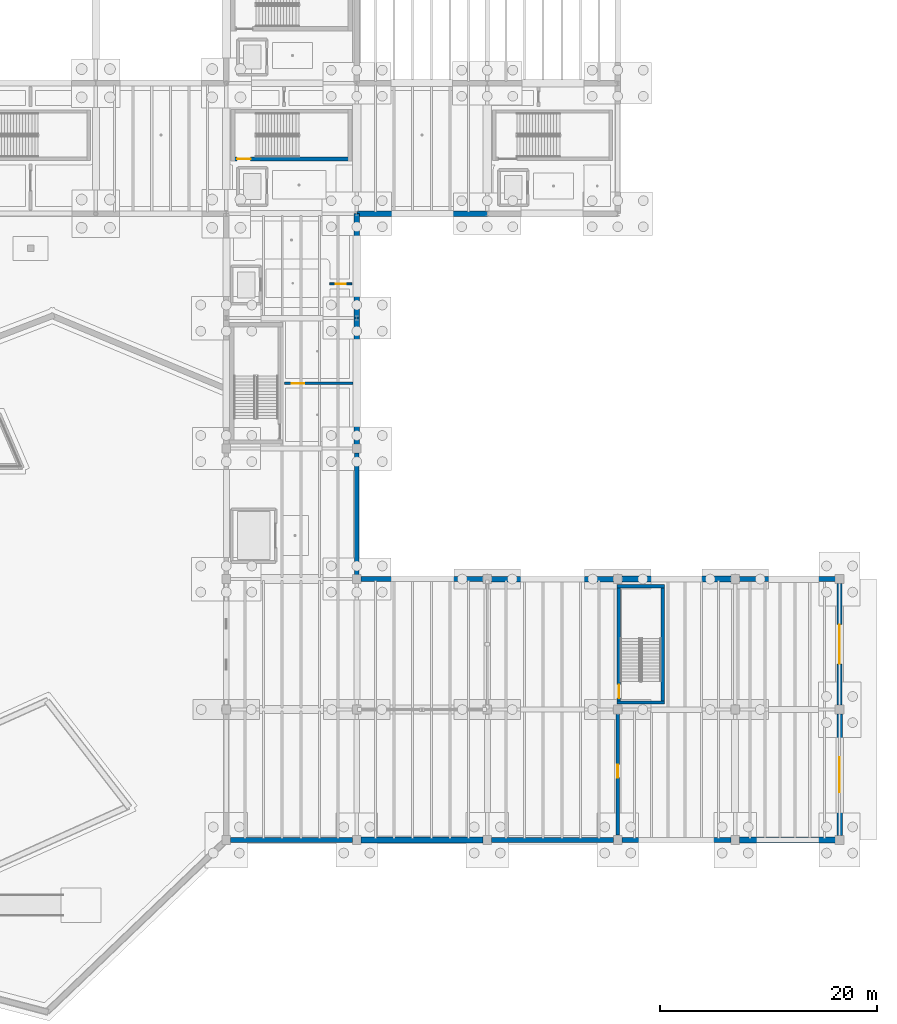
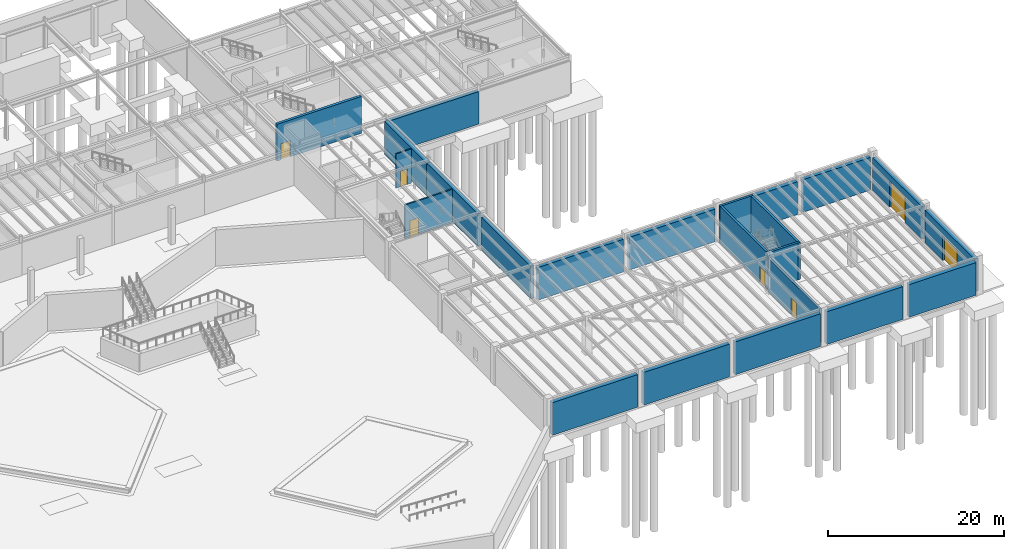
# One storey, part 38 of 67: 23 walls, 7 doors, 7 openings.
"""IFC4 building model written with IfcOpenShell, lengths in metres."""

from ifc_helpers import new_model, si_unit, direction, frame, frame_2d, origin, place, context, subcontext, project, spatial, rectangle, extrude, material, layer, layer_set, type_object, element, fill, save


model = new_model("IFC4")

# Units and contexts
model_context = context("Model", 3, precision=1e-05, world=origin(), true_north=direction((0.0, 1.0)))
body_context = subcontext(model_context, "Body", "Model", "MODEL_VIEW")
ifc_project = project(units=[si_unit("LENGTHUNIT", "METRE"), si_unit("AREAUNIT", "SQUARE_METRE"), si_unit("VOLUMEUNIT", "CUBIC_METRE"), si_unit("PLANEANGLEUNIT", "RADIAN"), si_unit("MASSUNIT", "GRAM", prefix="KILO")], contexts=[model_context])

# Site, building, storey
site_placement = place(None, origin())
site = spatial("IfcSite", under=ifc_project, at=site_placement, CompositionType="ELEMENT")
building_placement = place(site_placement, origin())
building = spatial("IfcBuilding", under=site, at=building_placement, Name="Zlatogorsky Bluff Art Gallery", CompositionType="ELEMENT")
storey_placement = place(building_placement, frame((0.0, 0.0, -5.39990234375)))
storey = spatial("IfcBuildingStorey", under=building, at=storey_placement, Name="B1", CompositionType="ELEMENT", Elevation=-5.39990234375)

# Walls
ifc_material_1 = material(Name="Concrete C35/45", Category="concrete")
ifc_layer_1 = layer(ifc_material_1, 0.449951171875)
ifc_layer_set_1 = layer_set([ifc_layer_1], Name="Exterior Wall RW-01 450mm")
wall_type_1 = type_object("IfcWallType", Name="Exterior Wall RW-01 450mm", PredefinedType="USERDEFINED", material=ifc_layer_set_1)
for number, where, z_axis, x_axis, name in (
    (1, (132.0, 50.794921875, 0.0), (0.0, 0.0, 1.0), (0.0, 1.0, 0.0), "Exterior wall RW-01 B1 E 10.5"),
    (2, (143.60498046875, 50.39990234375, 0.0), (0.0, 0.0, 1.0), (-1.0, 0.0, 0.0), "Exterior wall RW-01 B1 N 11.4"),
    (3, (144.39501953125, 26.39990234375, 0.0), (0.0, 0.0, 1.0), (1.0, 0.0, 0.0), "Exterior wall RW-01 B1 S 12.3"),
):
    element("IfcWall", number, at=place(storey_placement, frame(where, z_axis=z_axis, x_axis=x_axis)), inside=storey, type_object=wall_type_1, Name=name, ObjectType="RETAINING WALL", PredefinedType="USERDEFINED", context=body_context, shape_type="SweptSolid", body=[
        extrude(rectangle(XDim=11.2099609375, YDim=0.449951171875, at=frame_2d((5.60498046875, 0.0))), origin(), (0.0, 0.0, 1.0), 4.539794921875),
    ])
wall_1_placement = place(storey_placement, frame((176.0048828125, 50.39990234375, 0.0), z_axis=(0.0, 0.0, 1.0), x_axis=(-1.0, 0.0, 0.0)))
element("IfcWall", 4, at=wall_1_placement, inside=storey, type_object=wall_type_1, Name="Exterior wall RW-01 B1 N 14.4", ObjectType="RETAINING WALL", PredefinedType="USERDEFINED", context=body_context, shape_type="SweptSolid", body=[
    extrude(rectangle(XDim=8.809814453125, YDim=0.449951171875, at=frame_2d((4.40478515625, 0.0))), origin(), (0.0, 0.0, 1.0), 4.539794921875),
])

# Wall, opening, door
wall_2_placement = place(storey_placement, frame((176.39990234375, 38.794921875, 0.0), z_axis=(0.0, 0.0, 1.0), x_axis=(0.0, 1.0, 0.0)))
wall_2 = element("IfcWall", 5, at=wall_2_placement, inside=storey, type_object=wall_type_1, Name="Exterior wall RW-01 B1 E 14.4", ObjectType="RETAINING WALL", PredefinedType="USERDEFINED", context=body_context, shape_type="SweptSolid", body=[
    extrude(rectangle(XDim=11.2099609375, YDim=0.449951171875, at=frame_2d((5.60498046875, 0.0))), origin(), (0.0, 0.0, 1.0), 4.539794921875),
])
opening_1_placement = place(wall_2_placement, frame((3.804931640625, 0.0, 0.0)))
opening_1 = element("IfcOpeningElement", 6, at=opening_1_placement, cuts=wall_2, Name="Opening LDK-02", PredefinedType="OPENING", context=body_context, shape_type="SweptSolid", body=[
    extrude(rectangle(XDim=3.60009765625, YDim=3.60009765625, at=frame_2d((1.800048828125, 1.800048828125))), frame((0.0, 0.23486328125, 0.0), z_axis=(0.0, -1.0, 0.0), x_axis=(1.0, 0.0, 0.0)), (0.0, 0.0, 1.0), 0.469970703125),
])
ifc_material_2 = material(Name="Bronze-Clad Thermally Broken Steel and Laminated Glass", Category="steel")
door_type_1 = type_object("IfcDoorType", Name="Exterior Door LDK-02 3600x3600", OperationType="ROLLINGUP", PredefinedType="DOOR", material=ifc_material_2)
door_1_placement = place(opening_1_placement, origin())
door_1 = element("IfcDoor", 7, at=door_1_placement, inside=storey, type_object=door_type_1, Name="Art loading dock shutter LDK-02", OperationType="ROLLINGUP", OverallHeight=3.60009765625, OverallWidth=3.60009765625, PredefinedType="DOOR", context=body_context, shape_type="SweptSolid", body=[
    extrude(rectangle(XDim=3.60009765625, YDim=3.60009765625, at=frame_2d((1.800048828125, 1.800048828125))), frame((0.0, 0.02490234375, 0.0), z_axis=(0.0, -1.0, 0.0), x_axis=(1.0, 0.0, 0.0)), (0.0, 0.0, 1.0), 0.050048828125),
])
fill(opening_1, door_1)

# Walls
ifc_layer_2 = layer(ifc_material_1, 0.5)
ifc_layer_set_2 = layer_set([ifc_layer_2], Name="Exterior Wall RW-02 500mm")
wall_type_2 = type_object("IfcWallType", Name="Exterior Wall RW-02 500mm", PredefinedType="USERDEFINED", material=ifc_layer_set_2)
wall_3_placement = place(storey_placement, frame((120.39501953125, 26.39990234375, 0.0), z_axis=(0.0, 0.0, 1.0), x_axis=(1.0, 0.0, 0.0)))
element("IfcWall", 8, at=wall_3_placement, inside=storey, type_object=wall_type_2, Name="Exterior wall RW-02 B1 S 10.3", ObjectType="RETAINING WALL", PredefinedType="USERDEFINED", context=body_context, shape_type="SweptSolid", body=[
    extrude(rectangle(XDim=11.2099609375, YDim=0.5, at=frame_2d((5.60498046875, 0.0))), origin(), (0.0, 0.0, 1.0), 4.539794921875),
])
wall_4_placement = place(storey_placement, frame((132.0, 62.794921875, 0.0), z_axis=(0.0, 0.0, 1.0), x_axis=(0.0, 1.0, 0.0)))
element("IfcWall", 9, at=wall_4_placement, inside=storey, type_object=wall_type_2, Name="Exterior wall RW-02 B1 E 10.6", ObjectType="RETAINING WALL", PredefinedType="USERDEFINED", context=body_context, shape_type="SweptSolid", body=[
    extrude(rectangle(XDim=11.60498046875, YDim=0.5, at=frame_2d((5.802490234375, 0.0))), origin(), (0.0, 0.0, 1.0), 4.539794921875),
])
wall_5_placement = place(storey_placement, frame((132.0, 84.0, 0.0), z_axis=(0.0, 0.0, 1.0), x_axis=(1.0, 0.0, 0.0)))
element("IfcWall", 10, at=wall_5_placement, inside=storey, type_object=wall_type_2, Name="Exterior wall RW-02 B1 S 11.8", ObjectType="RETAINING WALL", PredefinedType="USERDEFINED", context=body_context, shape_type="SweptSolid", body=[
    extrude(rectangle(XDim=12.0, YDim=0.5, at=frame_2d((6.0, 0.0))), origin(), (0.0, 0.0, 1.0), 4.539794921875),
])
wall_6_placement = place(storey_placement, frame((155.60498046875, 50.39990234375, 0.0), z_axis=(0.0, 0.0, 1.0), x_axis=(-1.0, 0.0, 0.0)))
element("IfcWall", 11, at=wall_6_placement, inside=storey, type_object=wall_type_2, Name="Exterior wall RW-02 B1 N 12.4", ObjectType="RETAINING WALL", PredefinedType="USERDEFINED", context=body_context, shape_type="SweptSolid", body=[
    extrude(rectangle(XDim=11.2099609375, YDim=0.5, at=frame_2d((5.60498046875, 0.0))), origin(), (0.0, 0.0, 1.0), 4.539794921875),
])
wall_7_placement = place(storey_placement, frame((156.39501953125, 26.39990234375, 0.0), z_axis=(0.0, 0.0, 1.0), x_axis=(1.0, 0.0, 0.0)))
element("IfcWall", 12, at=wall_7_placement, inside=storey, type_object=wall_type_2, Name="Exterior wall RW-02 B1 S 13.3", ObjectType="RETAINING WALL", PredefinedType="USERDEFINED", context=body_context, shape_type="SweptSolid", body=[
    extrude(rectangle(XDim=10.010009765625, YDim=0.5, at=frame_2d((5.0048828125, 0.0))), origin(), (0.0, 0.0, 1.0), 4.539794921875),
])
ifc_layer_3 = layer(ifc_material_1, 0.52001953125)
ifc_layer_set_3 = layer_set([ifc_layer_3], Name="Exterior Wall RW-03 520mm")
wall_type_3 = type_object("IfcWallType", Name="Exterior Wall RW-03 520mm", PredefinedType="USERDEFINED", material=ifc_layer_set_3)
wall_8_placement = place(storey_placement, frame((132.0, 74.39990234375, 0.0), z_axis=(0.0, 0.0, 1.0), x_axis=(0.0, 1.0, 0.0)))
element("IfcWall", 13, at=wall_8_placement, inside=storey, type_object=wall_type_3, Name="Exterior wall RW-03 B1 E 10.7", ObjectType="RETAINING WALL", PredefinedType="USERDEFINED", context=body_context, shape_type="SweptSolid", body=[
    extrude(rectangle(XDim=9.60009765625, YDim=0.52001953125, at=frame_2d((4.800048828125, 0.0))), origin(), (0.0, 0.0, 1.0), 4.539794921875),
])
wall_9_placement = place(storey_placement, frame((132.39501953125, 26.39990234375, 0.0), z_axis=(0.0, 0.0, 1.0), x_axis=(1.0, 0.0, 0.0)))
element("IfcWall", 14, at=wall_9_placement, inside=storey, type_object=wall_type_3, Name="Exterior wall RW-03 B1 S 11.3", ObjectType="RETAINING WALL", PredefinedType="USERDEFINED", context=body_context, shape_type="SweptSolid", body=[
    extrude(rectangle(XDim=11.2099609375, YDim=0.52001953125, at=frame_2d((5.60498046875, 0.0))), origin(), (0.0, 0.0, 1.0), 4.539794921875),
])
wall_10_placement = place(storey_placement, frame((166.405029296875, 50.39990234375, 0.0), z_axis=(0.0, 0.0, 1.0), x_axis=(-1.0, 0.0, 0.0)))
element("IfcWall", 15, at=wall_10_placement, inside=storey, type_object=wall_type_3, Name="Exterior wall RW-03 B1 N 13.4", ObjectType="RETAINING WALL", PredefinedType="USERDEFINED", context=body_context, shape_type="SweptSolid", body=[
    extrude(rectangle(XDim=10.010009765625, YDim=0.52001953125, at=frame_2d((5.0048828125, 0.0))), origin(), (0.0, 0.0, 1.0), 4.539794921875),
])
wall_11_placement = place(storey_placement, frame((167.195068359375, 26.39990234375, 0.0), z_axis=(0.0, 0.0, 1.0), x_axis=(1.0, 0.0, 0.0)))
element("IfcWall", 16, at=wall_11_placement, inside=storey, type_object=wall_type_3, Name="Exterior wall RW-03 B1 S 14.3", ObjectType="RETAINING WALL", PredefinedType="USERDEFINED", context=body_context, shape_type="SweptSolid", body=[
    extrude(rectangle(XDim=8.809814453125, YDim=0.52001953125, at=frame_2d((4.40478515625, 0.0))), origin(), (0.0, 0.0, 1.0), 4.539794921875),
])

# Wall, opening, door
wall_12_placement = place(storey_placement, frame((176.39990234375, 26.794921875, 0.0), z_axis=(0.0, 0.0, 1.0), x_axis=(0.0, 1.0, 0.0)))
wall_12 = element("IfcWall", 17, at=wall_12_placement, inside=storey, type_object=wall_type_3, Name="Exterior wall RW-03 B1 E 14.3", ObjectType="RETAINING WALL", PredefinedType="USERDEFINED", context=body_context, shape_type="SweptSolid", body=[
    extrude(rectangle(XDim=11.2099609375, YDim=0.52001953125, at=frame_2d((5.60498046875, 0.0))), origin(), (0.0, 0.0, 1.0), 4.539794921875),
])
opening_2_placement = place(wall_12_placement, frame((4.0048828125, 0.0, 0.0)))
opening_2 = element("IfcOpeningElement", 18, at=opening_2_placement, cuts=wall_12, Name="Opening LDK-01", PredefinedType="OPENING", context=body_context, shape_type="SweptSolid", body=[
    extrude(rectangle(XDim=3.199951171875, YDim=3.39990234375, at=frame_2d((1.60009765625, 1.699951171875))), frame((0.0, 0.27001953125, 0.0), z_axis=(0.0, -1.0, 0.0), x_axis=(1.0, 0.0, 0.0)), (0.0, 0.0, 1.0), 0.5400390625),
])
door_type_2 = type_object("IfcDoorType", Name="Exterior Door LDK-01 3200x3400", OperationType="ROLLINGUP", PredefinedType="DOOR", material=ifc_material_2)
door_2_placement = place(opening_2_placement, origin())
door_2 = element("IfcDoor", 19, at=door_2_placement, inside=storey, type_object=door_type_2, Name="Art loading dock shutter LDK-01", OperationType="ROLLINGUP", OverallHeight=3.39990234375, OverallWidth=3.199951171875, PredefinedType="DOOR", context=body_context, shape_type="SweptSolid", body=[
    extrude(rectangle(XDim=3.199951171875, YDim=3.39990234375, at=frame_2d((1.60009765625, 1.699951171875))), frame((0.0, 0.02490234375, 0.0), z_axis=(0.0, -1.0, 0.0), x_axis=(1.0, 0.0, 0.0)), (0.0, 0.0, 1.0), 0.050048828125),
])
fill(opening_2, door_2)

ifc_material_3 = material(Name="Concrete C30/37", Category="concrete")
ifc_layer_4 = layer(ifc_material_3, 0.179931640625)
ifc_layer_set_4 = layer_set([ifc_layer_4], Name="Interior Wall IW-02 180mm")
wall_type_4 = type_object("IfcWallType", Name="Interior Wall IW-02 180mm", PredefinedType="PARTITIONING", material=ifc_layer_set_4)
wall_13_placement = place(storey_placement, frame((129.510009765625, 77.544921875, 0.0), z_axis=(0.0, 0.0, 1.0), x_axis=(1.0, 0.0, 0.0)))
wall_13 = element("IfcWall", 20, at=wall_13_placement, inside=storey, type_object=wall_type_4, Name="Partition IW-02 between B1-C2-12 and B1-C2-13", PredefinedType="PARTITIONING", context=body_context, shape_type="SweptSolid", body=[
    extrude(rectangle(XDim=2.0400390625, YDim=0.179931640625, at=frame_2d((1.02001953125, 0.0))), origin(), (0.0, 0.0, 1.0), 4.739990234375),
])
opening_3_placement = place(wall_13_placement, frame((0.5400390625, 0.0, 0.0)))
opening_3 = element("IfcOpeningElement", 21, at=opening_3_placement, cuts=wall_13, Name="Opening ID-01", PredefinedType="OPENING", context=body_context, shape_type="SweptSolid", body=[
    extrude(rectangle(XDim=0.919921875, YDim=2.14990234375, at=frame_2d((0.4599609375, 1.074951171875))), frame((0.0, 0.099853515625, 0.0), z_axis=(0.0, -1.0, 0.0), x_axis=(1.0, 0.0, 0.0)), (0.0, 0.0, 1.0), 0.199951171875),
])
ifc_material_4 = material(Name="Anodised Aluminium and Laminated Timber", Category="wood")
door_type_3 = type_object("IfcDoorType", Name="Interior Door ID-01 920x2150", OperationType="SINGLE_SWING_LEFT", PredefinedType="DOOR", material=ifc_material_4)
door_3_placement = place(opening_3_placement, origin())
door_3 = element("IfcDoor", 22, at=door_3_placement, inside=storey, type_object=door_type_3, Name="Door ID-01 B1-C2-12-B1-C2-13", OperationType="SINGLE_SWING_LEFT", OverallHeight=2.14990234375, OverallWidth=0.919921875, PredefinedType="DOOR", context=body_context, shape_type="SweptSolid", body=[
    extrude(rectangle(XDim=0.919921875, YDim=2.14990234375, at=frame_2d((0.4599609375, 1.074951171875))), frame((0.0, 0.02490234375, 0.0), z_axis=(0.0, -1.0, 0.0), x_axis=(1.0, 0.0, 0.0)), (0.0, 0.0, 1.0), 0.050048828125),
])
fill(opening_3, door_3)

ifc_layer_5 = layer(ifc_material_3, 0.199951171875)
ifc_layer_set_5 = layer_set([ifc_layer_5], Name="Interior Wall IW-03 200mm")
wall_type_5 = type_object("IfcWallType", Name="Interior Wall IW-03 200mm", PredefinedType="PARTITIONING", material=ifc_layer_set_5)
wall_14_placement = place(storey_placement, frame((125.3701171875, 68.39990234375, 0.0), z_axis=(0.0, 0.0, 1.0), x_axis=(1.0, 0.0, 0.0)))
wall_14 = element("IfcWall", 23, at=wall_14_placement, inside=storey, type_object=wall_type_5, Name="Partition IW-03 between B1-C2-11 and B1-C2-12", PredefinedType="PARTITIONING", context=body_context, shape_type="SweptSolid", body=[
    extrude(rectangle(XDim=6.259765625, YDim=0.199951171875, at=frame_2d((3.1298828125, 0.0))), origin(), (0.0, 0.0, 1.0), 4.64990234375),
])
opening_4_placement = place(wall_14_placement, frame((0.64990234375, 0.0, 0.0)))
opening_4 = element("IfcOpeningElement", 24, at=opening_4_placement, cuts=wall_14, Name="Opening ID-06", PredefinedType="OPENING", context=body_context, shape_type="SweptSolid", body=[
    extrude(rectangle(XDim=1.14990234375, YDim=2.25, at=frame_2d((0.574951171875, 1.125))), frame((0.0, 0.10986328125, 0.0), z_axis=(0.0, -1.0, 0.0), x_axis=(1.0, 0.0, 0.0)), (0.0, 0.0, 1.0), 0.219970703125),
])
door_type_4 = type_object("IfcDoorType", Name="Interior Door ID-06 1150x2250", OperationType="SINGLE_SWING_LEFT", PredefinedType="DOOR", material=ifc_material_4)
door_4_placement = place(opening_4_placement, origin())
door_4 = element("IfcDoor", 25, at=door_4_placement, inside=storey, type_object=door_type_4, Name="Door ID-06 B1-C2-11-B1-C2-12", OperationType="SINGLE_SWING_RIGHT", OverallHeight=2.25, OverallWidth=1.14990234375, PredefinedType="DOOR", context=body_context, shape_type="SweptSolid", body=[
    extrude(rectangle(XDim=1.14990234375, YDim=2.25, at=frame_2d((0.574951171875, 1.125))), frame((0.0, 0.02490234375, 0.0), z_axis=(0.0, -1.0, 0.0), x_axis=(1.0, 0.0, 0.0)), (0.0, 0.0, 1.0), 0.050048828125),
])
fill(opening_4, door_4)

ifc_layer_6 = layer(ifc_material_1, 0.280029296875)
ifc_layer_set_6 = layer_set([ifc_layer_6], Name="Interior Wall IW-06 280mm")
wall_type_6 = type_object("IfcWallType", Name="Interior Wall IW-06 280mm", PredefinedType="SOLIDWALL", material=ifc_layer_set_6)
wall_15_placement = place(storey_placement, frame((156.0, 26.87451171875, 0.0), z_axis=(0.0, 0.0, 1.0), x_axis=(0.0, 1.0, 0.0)))
wall_15 = element("IfcWall", 26, at=wall_15_placement, inside=storey, type_object=wall_type_6, Name="Partition IW-06 between B1-S2 and B1-D1", PredefinedType="SOLIDWALL", context=body_context, shape_type="SweptSolid", body=[
    extrude(rectangle(XDim=11.70556640625, YDim=0.280029296875, at=frame_2d((5.852783203125, 0.0))), origin(), (0.0, 0.0, 1.0), 4.7099609375),
])
opening_5_placement = place(wall_15_placement, frame((5.2529296875, 0.0, 0.0)))
opening_5 = element("IfcOpeningElement", 27, at=opening_5_placement, cuts=wall_15, Name="Opening ID-07", PredefinedType="OPENING", context=body_context, shape_type="SweptSolid", body=[
    extrude(rectangle(XDim=1.199951171875, YDim=2.300048828125, at=frame_2d((0.60009765625, 1.14990234375))), frame((0.0, 0.14990234375, 0.0), z_axis=(0.0, -1.0, 0.0), x_axis=(1.0, 0.0, 0.0)), (0.0, 0.0, 1.0), 0.300048828125),
])
door_type_5 = type_object("IfcDoorType", Name="Interior Door ID-07 1200x2300", OperationType="SINGLE_SWING_LEFT", PredefinedType="DOOR", material=ifc_material_4)
door_5_placement = place(opening_5_placement, origin())
door_5 = element("IfcDoor", 28, at=door_5_placement, inside=storey, type_object=door_type_5, Name="Door ID-07 B1-S2-B1-D1", OperationType="SINGLE_SWING_RIGHT", OverallHeight=2.300048828125, OverallWidth=1.199951171875, PredefinedType="DOOR", context=body_context, shape_type="SweptSolid", body=[
    extrude(rectangle(XDim=1.199951171875, YDim=2.300048828125, at=frame_2d((0.60009765625, 1.14990234375))), frame((0.0, 0.02490234375, 0.0), z_axis=(0.0, -1.0, 0.0), x_axis=(1.0, 0.0, 0.0)), (0.0, 0.0, 1.0), 0.050048828125),
])
fill(opening_5, door_5)

# Walls
ifc_layer_7 = layer(ifc_material_1, 0.300048828125)
ifc_layer_set_7 = layer_set([ifc_layer_7], Name="Interior Wall SW-01 300mm")
wall_type_7 = type_object("IfcWallType", Name="Interior Wall SW-01 300mm", PredefinedType="SHEAR", material=ifc_layer_set_7)
wall_16_placement = place(storey_placement, frame((160.14990234375, 38.89990234375, 0.0), z_axis=(0.0, 0.0, 1.0), x_axis=(0.0, 1.0, 0.0)))
element("IfcWall", 29, at=wall_16_placement, inside=storey, type_object=wall_type_7, Name="Stair ST-10 enclosure wall B1 W0", PredefinedType="SHEAR", context=body_context, shape_type="SweptSolid", body=[
    extrude(rectangle(XDim=11.0, YDim=0.300048828125, at=frame_2d((5.5, 0.0))), origin(), (0.0, 0.0, 1.0), 5.119873046875),
])
wall_17_placement = place(storey_placement, frame((160.300048828125, 49.75, 0.0), z_axis=(0.0, 0.0, 1.0), x_axis=(-1.0, 0.0, 0.0)))
element("IfcWall", 30, at=wall_17_placement, inside=storey, type_object=wall_type_7, Name="Stair ST-10 enclosure wall B1 FEND", PredefinedType="SHEAR", context=body_context, shape_type="SweptSolid", body=[
    extrude(rectangle(XDim=4.35009765625, YDim=0.300048828125, at=frame_2d((2.175048828125, 0.0))), origin(), (0.0, 0.0, 1.0), 5.119873046875),
])

# Wall, opening, door
wall_18_placement = place(storey_placement, frame((156.10009765625, 49.89990234375, 0.0), z_axis=(0.0, 0.0, 1.0), x_axis=(0.0, -1.0, 0.0)))
wall_18 = element("IfcWall", 31, at=wall_18_placement, inside=storey, type_object=wall_type_7, Name="Stair ST-10 enclosure wall B1 W1", PredefinedType="SHEAR", context=body_context, shape_type="SweptSolid", body=[
    extrude(rectangle(XDim=11.0, YDim=0.300048828125, at=frame_2d((5.5, 0.0))), origin(), (0.0, 0.0, 1.0), 5.119873046875),
])
opening_6_placement = place(wall_18_placement, frame((9.2099609375, 0.0, 0.0)))
opening_6 = element("IfcOpeningElement", 32, at=opening_6_placement, cuts=wall_18, Name="Opening FD-02", PredefinedType="OPENING", context=body_context, shape_type="SweptSolid", body=[
    extrude(rectangle(XDim=1.239990234375, YDim=2.25, at=frame_2d((0.6201171875, 1.125))), frame((0.0, 0.159912109375, 0.0), z_axis=(0.0, -1.0, 0.0), x_axis=(1.0, 0.0, 0.0)), (0.0, 0.0, 1.0), 0.320068359375),
])
door_type_6 = type_object("IfcDoorType", Name="Interior Door FD-02 1240x2250", OperationType="SINGLE_SWING_LEFT", PredefinedType="DOOR", material=ifc_material_4)
door_6_placement = place(opening_6_placement, origin())
door_6 = element("IfcDoor", 33, at=door_6_placement, inside=storey, type_object=door_type_6, Name="Stair ST-10 fire door B1", OperationType="SINGLE_SWING_RIGHT", OverallHeight=2.25, OverallWidth=1.239990234375, PredefinedType="DOOR", context=body_context, shape_type="SweptSolid", body=[
    extrude(rectangle(XDim=1.239990234375, YDim=2.25, at=frame_2d((0.6201171875, 1.125))), frame((0.0, 0.02490234375, 0.0), z_axis=(0.0, -1.0, 0.0), x_axis=(1.0, 0.0, 0.0)), (0.0, 0.0, 1.0), 0.050048828125),
])
fill(opening_6, door_6)

# Wall
wall_19_placement = place(storey_placement, frame((155.949951171875, 39.050048828125, 0.0), z_axis=(0.0, 0.0, 1.0), x_axis=(1.0, 0.0, 0.0)))
element("IfcWall", 34, at=wall_19_placement, inside=storey, type_object=wall_type_7, Name="Stair ST-10 enclosure wall B1 LEND", PredefinedType="SHEAR", context=body_context, shape_type="SweptSolid", body=[
    extrude(rectangle(XDim=4.35009765625, YDim=0.300048828125, at=frame_2d((2.175048828125, 0.0))), origin(), (0.0, 0.0, 1.0), 5.119873046875),
])

# Wall, opening, door
ifc_layer_8 = layer(ifc_material_1, 0.35009765625)
ifc_layer_set_8 = layer_set([ifc_layer_8], Name="Interior Wall SW-02 350mm")
wall_type_8 = type_object("IfcWallType", Name="Interior Wall SW-02 350mm", PredefinedType="SHEAR", material=ifc_layer_set_8)
wall_20_placement = place(storey_placement, frame((120.449951171875, 89.02490234375, 0.0), z_axis=(0.0, 0.0, 1.0), x_axis=(1.0, 0.0, 0.0)))
wall_20 = element("IfcWall", 35, at=wall_20_placement, inside=storey, type_object=wall_type_8, Name="Stair ST-02 enclosure wall B1 W0", PredefinedType="SHEAR", context=body_context, shape_type="SweptSolid", body=[
    extrude(rectangle(XDim=11.10009765625, YDim=0.35009765625, at=frame_2d((5.550048828125, 0.0))), origin(), (0.0, 0.0, 1.0), 5.119873046875),
])
opening_7_placement = place(wall_20_placement, frame((0.550048828125, 0.0, 0.0)))
opening_7 = element("IfcOpeningElement", 36, at=opening_7_placement, cuts=wall_20, Name="Opening FD-02", PredefinedType="OPENING", context=body_context, shape_type="SweptSolid", body=[
    extrude(rectangle(XDim=1.239990234375, YDim=2.25, at=frame_2d((0.6201171875, 1.125))), frame((0.0, 0.18505859375, 0.0), z_axis=(0.0, -1.0, 0.0), x_axis=(1.0, 0.0, 0.0)), (0.0, 0.0, 1.0), 0.3701171875),
])
door_7_placement = place(opening_7_placement, origin())
door_7 = element("IfcDoor", 37, at=door_7_placement, inside=storey, type_object=door_type_6, Name="Stair ST-02 fire door B1", OperationType="SINGLE_SWING_RIGHT", OverallHeight=2.25, OverallWidth=1.239990234375, PredefinedType="DOOR", context=body_context, shape_type="SweptSolid", body=[
    extrude(rectangle(XDim=1.239990234375, YDim=2.25, at=frame_2d((0.6201171875, 1.125))), frame((0.0, 0.02490234375, 0.0), z_axis=(0.0, -1.0, 0.0), x_axis=(1.0, 0.0, 0.0)), (0.0, 0.0, 1.0), 0.050048828125),
])
fill(opening_7, door_7)

save(model, "model.ifc")
